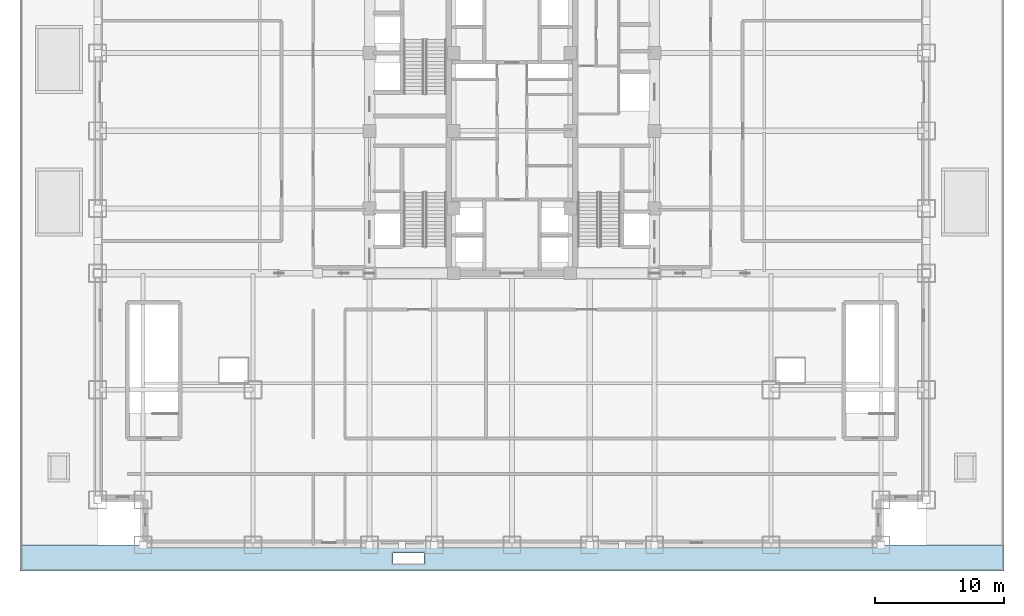
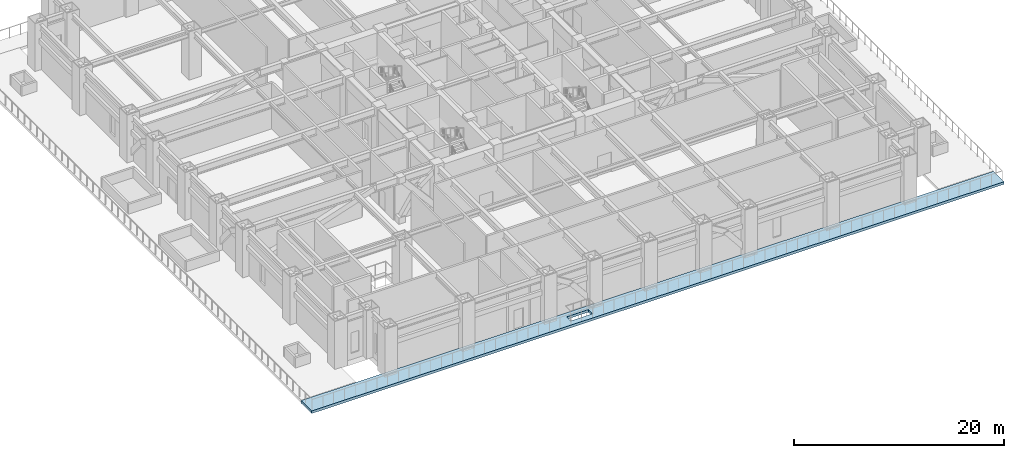
# One storey, part 5 of 21: 1 slab.
"""IFC4 building model written with IfcOpenShell, lengths in metres."""

from ifc_helpers import new_model, si_unit, direction, frame, origin, place, context, subcontext, project, spatial, polyline, outline, extrude, material, layer, layer_set, type_object, element, save


model = new_model("IFC4")

# Units and contexts
model_context = context("Model", 3, precision=1e-05, world=origin(), true_north=direction((0.0, 1.0)))
body_context = subcontext(model_context, "Body", "Model", "MODEL_VIEW")
ifc_project = project(units=[si_unit("LENGTHUNIT", "METRE"), si_unit("AREAUNIT", "SQUARE_METRE"), si_unit("VOLUMEUNIT", "CUBIC_METRE"), si_unit("PLANEANGLEUNIT", "RADIAN"), si_unit("MASSUNIT", "GRAM", prefix="KILO")], contexts=[model_context])

# Site, building, storey
site_placement = place(None, origin())
site = spatial("IfcSite", under=ifc_project, at=site_placement, CompositionType="ELEMENT")
building_placement = place(site_placement, origin())
building = spatial("IfcBuilding", under=site, at=building_placement, Name="Khorayat Bourse Tower", CompositionType="ELEMENT")
storey_placement = place(building_placement, frame((0.0, 0.0, 27.0)))
storey = spatial("IfcBuildingStorey", under=building, at=storey_placement, Name="L05", CompositionType="ELEMENT", Elevation=27.0)

# Slab
ifc_material = material(Name="Concrete C40/50", Category="concrete")
ifc_layer = layer(ifc_material, 0.300048828125)
ifc_layer_set = layer_set([ifc_layer], Name="Concrete C40/50")
slab_type = type_object("IfcSlabType", Name="SLB-TERR-300", PredefinedType="FLOOR", material=ifc_layer_set)
slab_placement = place(storey_placement, frame((0.0, 0.0, -0.300048828125)))
element("IfcSlab", 1, at=slab_placement, inside=storey, type_object=slab_type, Name="L05 Planted Garden Terrace Slab 02", PredefinedType="FLOOR", context=body_context, shape_type="SweptSolid", body=[
    extrude(outline(polyline([(-38.0, -34.0), (38.0, -34.0), (38.0, -32.0), (-38.0, -32.0), (-38.0, -34.0)]), holes=[polyline([(-9.199951171875, -33.39990234375), (-6.800048828125, -33.39990234375), (-6.800048828125, -32.60009765625), (-9.199951171875, -32.60009765625), (-9.199951171875, -33.39990234375)])]), origin(), (0.0, 0.0, 1.0), 0.300048828125),
])

save(model, "model.ifc")
